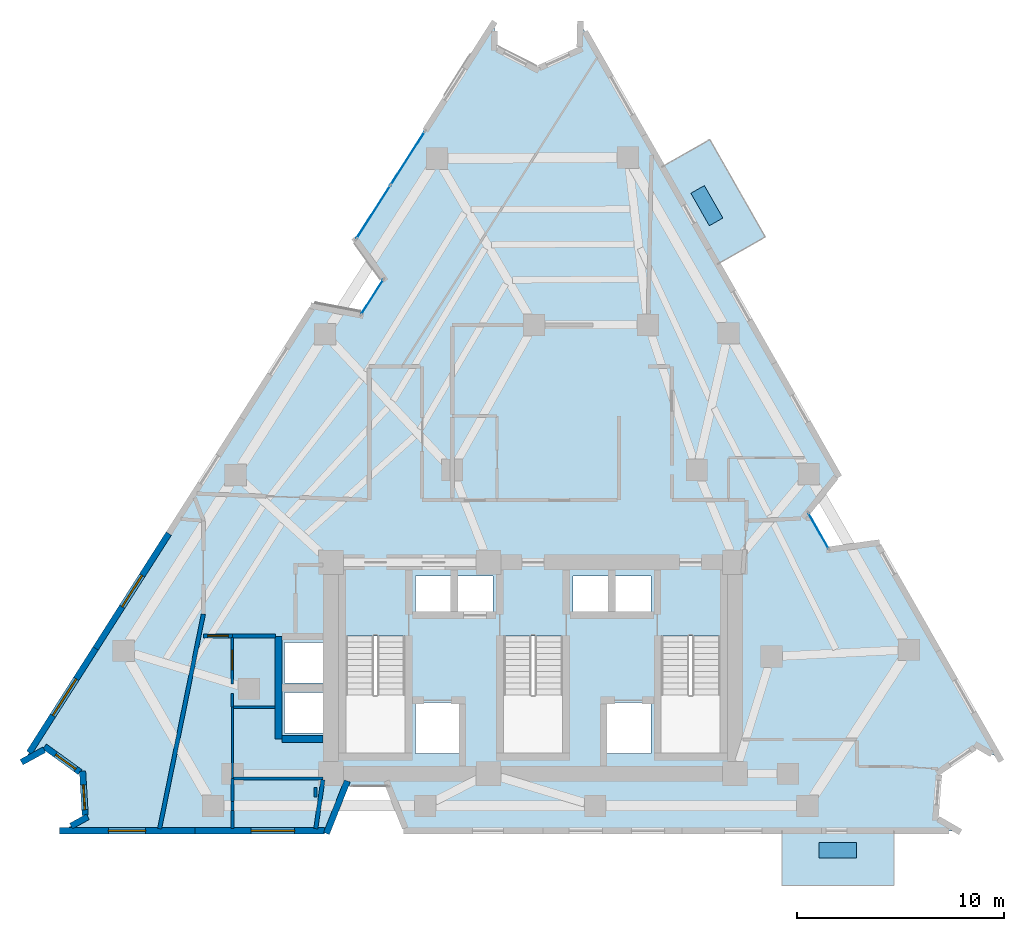
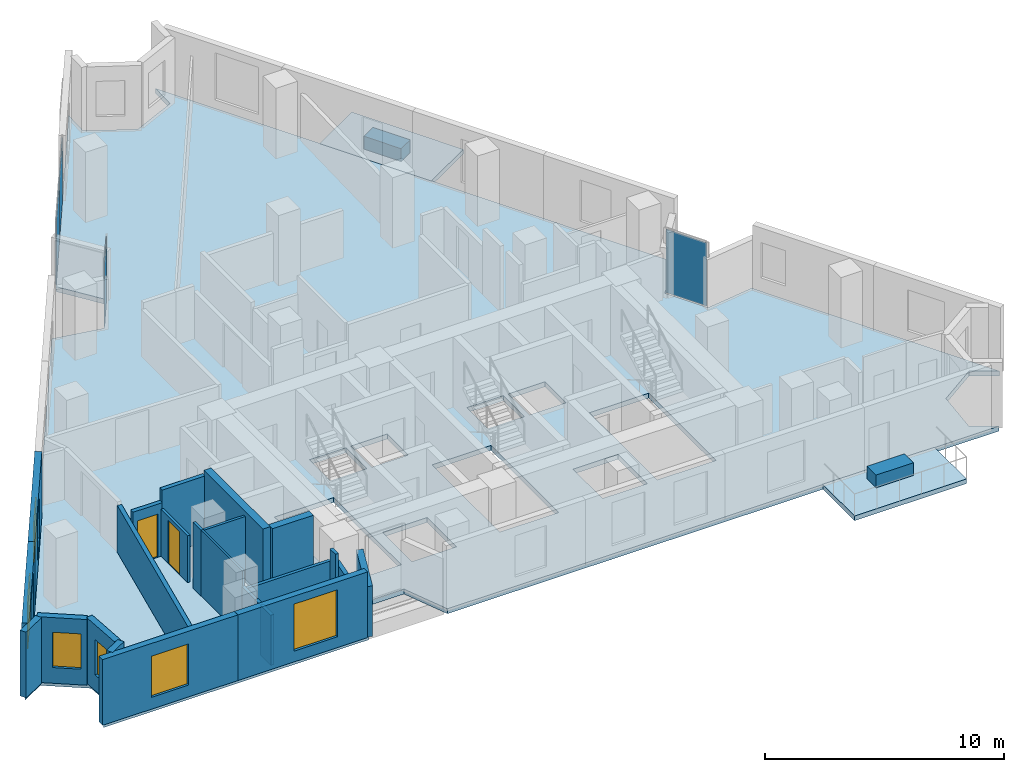
# One storey, part 6 of 12: 24 walls, 6 plates, 6 windows, 3 slabs, 2 doors, 8 openings, 3 elements without a shape of their own.
"""IFC4 building model written with IfcOpenShell, lengths in metres."""

import ifcopenshell
import ifcopenshell.guid

model = None  # the IFC model being written
_history = None  # IfcOwnerHistory: only IFC2X3 demands one
_inside = {}  # id of a spatial element -> (the spatial element, [elements in it])
_under = {}  # id of a project, library or spatial element -> (it, [spatial elements below it])
_declared = {}  # id of a project -> (the project, [libraries it declares])
_typed = {}  # id of a type object -> (the type object, [elements of that type])
_made_of = {}  # id of a material, layer set ... -> (it, [elements and type objects made of it])


def new_model(schema):
    """Start an empty IFC model of exactly this schema.

    Asked for "IFC4X3", IfcOpenShell would pick the latest addendum, in which some entities
    have other attributes; the version numbers below select the first issue.
    IFC2X3 requires an IfcOwnerHistory on every rooted entity: one is made here for all.
    """
    global model, _history
    if schema == "IFC4X3":
        model = ifcopenshell.file(schema_version=(4, 3, 0, 0))
    else:
        model = ifcopenshell.file(schema=schema)
    _inside.clear()
    _under.clear()
    _declared.clear()
    _typed.clear()
    _made_of.clear()
    _history = None
    if model.schema == "IFC2X3":
        org = make("IfcOrganization", Name="unknown")
        user = make(
            "IfcPersonAndOrganization",
            ThePerson=make("IfcPerson", FamilyName="unknown"),
            TheOrganization=org,
        )
        app = make(
            "IfcApplication",
            ApplicationDeveloper=org,
            Version="unknown",
            ApplicationFullName="unknown",
            ApplicationIdentifier="unknown",
        )
        _history = make(
            "IfcOwnerHistory",
            OwningUser=user,
            OwningApplication=app,
            ChangeAction="ADDED",
            CreationDate=0,
        )
    return model


def make(cls, **values):
    """One entity of the class cls with the attributes given. An attribute that is None is left unset."""
    return model.create_entity(
        cls, **{name: value for name, value in values.items() if value is not None}
    )


def rooted(cls, **values):
    """An entity with a GlobalId (a new one), such as an element, a storey or a relation."""
    return make(cls, GlobalId=ifcopenshell.guid.new(), OwnerHistory=_history, **values)


def si_unit(unit_type, name, prefix=None):
    """IfcSIUnit, for example si_unit("LENGTHUNIT", "METRE", prefix="MILLI")."""
    return make("IfcSIUnit", UnitType=unit_type, Prefix=prefix, Name=name)


def assignment(units):
    """IfcUnitAssignment: the units of a project."""
    return None if units is None else make("IfcUnitAssignment", Units=units)


def point(xyz):
    """IfcCartesianPoint."""
    return None if xyz is None else make("IfcCartesianPoint", Coordinates=xyz)


def direction(xyz):
    """IfcDirection."""
    return None if xyz is None else make("IfcDirection", DirectionRatios=xyz)


def frame(location, z_axis=None, x_axis=None):
    """IfcAxis2Placement3D, a coordinate frame: its origin and axes. An axis left out is left unset."""
    return make(
        "IfcAxis2Placement3D",
        Location=point(location),
        Axis=direction(z_axis),
        RefDirection=direction(x_axis),
    )


def frame_2d(location, x_axis=None):
    """IfcAxis2Placement2D, a coordinate frame in the plane: its origin and x axis."""
    return make(
        "IfcAxis2Placement2D", Location=point(location), RefDirection=direction(x_axis)
    )


def origin():
    """The frame at (0, 0, 0) with its axes left unset."""
    return frame((0.0, 0.0, 0.0))


def origin_2d():
    """The frame at (0, 0) in the plane with its x axis left unset."""
    return frame_2d((0.0, 0.0))


def place(relative_to, where):
    """IfcLocalPlacement: puts the frame where relative to a parent placement (None: the world)."""
    return make(
        "IfcLocalPlacement", PlacementRelTo=relative_to, RelativePlacement=where
    )


def context(
    kind, dimensions, precision=None, world=None, true_north=None, identifier=None
):
    """IfcGeometricRepresentationContext, for example the 3D "Model" context."""
    return make(
        "IfcGeometricRepresentationContext",
        ContextIdentifier=identifier,
        ContextType=kind,
        CoordinateSpaceDimension=dimensions,
        Precision=precision,
        WorldCoordinateSystem=world,
        TrueNorth=true_north,
    )


def subcontext(parent, identifier, kind, view, scale=None):
    """IfcGeometricRepresentationSubContext, for example "Body" below "Model"."""
    return make(
        "IfcGeometricRepresentationSubContext",
        ContextIdentifier=identifier,
        ContextType=kind,
        ParentContext=parent,
        TargetScale=scale,
        TargetView=view,
    )


def project(units=None, contexts=None):
    """IfcProject with its units and contexts."""
    return rooted(
        "IfcProject",
        Name="project",
        RepresentationContexts=contexts,
        UnitsInContext=assignment(units),
    )


def spatial(cls, under=None, at=None, **own):
    """A site, building, storey or space (cls), placed at a placement, below another one or the project."""
    s = rooted(cls, ObjectPlacement=at, **own)
    if under is not None:
        _under.setdefault(under.id(), (under, []))[1].append(s)
    return s


def polyline(points):
    """IfcPolyline through the points."""
    return make("IfcPolyline", Points=[point(p) for p in points])


def profile(cls, at=None, kind="AREA", **sizes):
    """A parametric profile (cls). Its sizes go by their IFC names, for example OverallWidth=200.0."""
    return make(cls, ProfileType=kind, Position=at, **sizes)


def rectangle(**sizes):
    """IfcRectangleProfileDef."""
    return profile("IfcRectangleProfileDef", **sizes)


def outline(outer, holes=None, kind="AREA"):
    """IfcArbitraryClosedProfileDef: a profile drawn as a closed curve; with holes, ...WithVoids."""
    if holes is None:
        return make("IfcArbitraryClosedProfileDef", ProfileType=kind, OuterCurve=outer)
    return make(
        "IfcArbitraryProfileDefWithVoids",
        ProfileType=kind,
        OuterCurve=outer,
        InnerCurves=holes,
    )


def extrude(swept, where, along, depth):
    """IfcExtrudedAreaSolid: the profile swept, set in the frame where, extruded along a direction by depth."""
    return make(
        "IfcExtrudedAreaSolid",
        SweptArea=swept,
        Position=where,
        ExtrudedDirection=direction(along),
        Depth=depth,
    )


def shape(context_of_items, identifier, shape_type, items):
    """IfcShapeRepresentation: the items that make up one representation, for example the "Body"."""
    return make(
        "IfcShapeRepresentation",
        ContextOfItems=context_of_items,
        RepresentationIdentifier=identifier,
        RepresentationType=shape_type,
        Items=items,
    )


def material(Name=None, Category=None):
    """IfcMaterial."""
    return make("IfcMaterial", Name=Name, Category=Category)


def layer(
    of_material, thickness, ventilated=None, Name=None, Category=None, Priority=None
):
    """IfcMaterialLayer: one layer of a wall or slab, of a material (None: an air gap)."""
    return make(
        "IfcMaterialLayer",
        Material=of_material,
        LayerThickness=thickness,
        IsVentilated=ventilated,
        Name=Name,
        Category=Category,
        Priority=Priority,
    )


def layer_set(layers, Name=None):
    """IfcMaterialLayerSet."""
    return make("IfcMaterialLayerSet", MaterialLayers=layers, LayerSetName=Name)


def made_of(thing, what):
    """Note that an element or type object is made of a material, layer set ...; save() writes the relation."""
    if what is not None:
        _made_of.setdefault(what.id(), (what, []))[1].append(thing)
    return thing


def type_object(cls, material=None, **own):
    """A type object (cls), such as IfcWallType, which elements share."""
    return made_of(rooted(cls, **own), material)


def element(
    cls,
    number,
    at=None,
    inside=None,
    cuts=None,
    type_object=None,
    material=None,
    context=None,
    identifier="Body",
    shape_type=None,
    held_by="IfcProductDefinitionShape",
    body=None,
    shapes=None,
    **own,
):
    """One element of the class cls, such as IfcWall. Its Tag is "e" and its number.

    at: its placement. inside: the storey or other place that contains it. cuts: it is an
    opening in that element (IfcRelVoidsElement). A single representation is given by context,
    identifier, shape_type and body (its items); several are given by shapes. held_by: the class
    of the entity that holds the representations. save() writes the other relations.
    """
    e = rooted(cls, Tag="e%d" % number, ObjectPlacement=at, **own)
    if body is not None:
        shapes = [shape(context, identifier, shape_type, body)]
    if shapes is not None:
        e.Representation = make(held_by, Representations=shapes)
    if inside is not None:
        _inside.setdefault(inside.id(), (inside, []))[1].append(e)
    if cuts is not None:
        rooted(
            "IfcRelVoidsElement", RelatingBuildingElement=cuts, RelatedOpeningElement=e
        )
    if type_object is not None:
        _typed.setdefault(type_object.id(), (type_object, []))[1].append(e)
    return made_of(e, material)


def fill(opening, filler):
    """IfcRelFillsElement: the door or window that sits in an opening."""
    return rooted(
        "IfcRelFillsElement",
        RelatingOpeningElement=opening,
        RelatedBuildingElement=filler,
    )


def aggregate(whole, parts):
    """IfcRelAggregates: a whole, such as a stair, and the parts it consists of."""
    return rooted("IfcRelAggregates", RelatingObject=whole, RelatedObjects=parts)


def save(model, path):
    """Write the relations noted so far, then the file.

    IfcRelAggregates (storeys below a building ...), IfcRelContainedInSpatialStructure (elements
    in a storey), IfcRelDefinesByType, IfcRelAssociatesMaterial and IfcRelDeclares: one each for
    every whole, place, type object, material and project.
    """
    for whole, parts in _under.values():
        aggregate(whole, parts)
    for where, things in _inside.values():
        rooted(
            "IfcRelContainedInSpatialStructure",
            RelatedElements=things,
            RelatingStructure=where,
        )
    for kind, things in _typed.values():
        rooted("IfcRelDefinesByType", RelatedObjects=things, RelatingType=kind)
    for what, things in _made_of.values():
        rooted("IfcRelAssociatesMaterial", RelatedObjects=things, RelatingMaterial=what)
    for by, libraries in _declared.values():
        rooted("IfcRelDeclares", RelatingContext=by, RelatedDefinitions=libraries)
    model.write(path)


model = new_model("IFC4")

# Units and contexts
model_context = context("Model", 3, precision=1e-05, world=origin(), true_north=direction((0.0, 1.0)))
body_context = subcontext(model_context, "Body", "Model", "MODEL_VIEW")
ifc_project = project(units=[si_unit("LENGTHUNIT", "METRE"), si_unit("AREAUNIT", "SQUARE_METRE"), si_unit("VOLUMEUNIT", "CUBIC_METRE"), si_unit("PLANEANGLEUNIT", "RADIAN"), si_unit("MASSUNIT", "GRAM", prefix="KILO")], contexts=[model_context])

# Site, building, storey
site_placement = place(None, origin())
site = spatial("IfcSite", under=ifc_project, at=site_placement, CompositionType="ELEMENT")
building_placement = place(site_placement, origin())
building = spatial("IfcBuilding", under=site, at=building_placement, Name="Almagre Mirador Tower", CompositionType="ELEMENT")
storey_placement = place(building_placement, frame((0.0, 0.0, 139.199951171875)))
storey = spatial("IfcBuildingStorey", under=building, at=storey_placement, Name="L35", CompositionType="ELEMENT", Elevation=139.199951171875)

# Curtain wall, plate
ifc_material_1 = material(Name="Black anodized aluminium", Category="aluminium")
ifc_layer_1 = layer(ifc_material_1, 0.169921875)
ifc_layer_set_1 = layer_set([ifc_layer_1], Name="Black anodized aluminium")
curtain_wall_type_1 = type_object("IfcCurtainWallType", Name="CW-CRS-SYS", PredefinedType="NOTDEFINED", material=ifc_layer_set_1)
curtain_wall_1_placement = place(storey_placement, origin())
curtain_wall_1 = element("IfcCurtainWall", 1, at=curtain_wall_1_placement, inside=storey, type_object=curtain_wall_type_1, Name="L35 vertical crease curtain wall 01", PredefinedType="NOTDEFINED")
ifc_material_2 = material(Name="Dark solar-control laminated hurricane glass", Category="glass")
ifc_layer_2 = layer(ifc_material_2, 0.028076171875)
ifc_layer_set_2 = layer_set([ifc_layer_2], Name="Dark solar-control laminated hurricane glass")
plate_type_1 = type_object("IfcPlateType", Name="PLT-GLZ-28", PredefinedType="CURTAIN_PANEL", material=ifc_layer_set_2)
plate_1_placement = place(storey_placement, frame((29.5458984375, 27.549560546875, 0.06005859375), z_axis=(0.0, 0.0, 1.0), x_axis=(0.536906455298, 0.84364178314, 0.0)))
plate_1 = element("IfcPlate", 2, at=plate_1_placement, type_object=plate_type_1, Name="CW-4 panel 1.1", PredefinedType="CURTAIN_PANEL", context=body_context, shape_type="SweptSolid", body=[
    extrude(rectangle(XDim=1.9697265625, YDim=0.028076171875, at=origin_2d()), origin(), (0.0, 0.0, 1.0), 3.22998046875),
])
aggregate(curtain_wall_1, [plate_1])

curtain_wall_2_placement = place(storey_placement, origin())
curtain_wall_2 = element("IfcCurtainWall", 3, at=curtain_wall_2_placement, inside=storey, type_object=curtain_wall_type_1, Name="L35 vertical crease curtain wall 03", PredefinedType="NOTDEFINED")
plate_2_placement = place(storey_placement, frame((51.070068359375, 16.261962890625, 0.06005859375), z_axis=(0.0, 0.0, 1.0), x_axis=(0.495520699487, -0.868596129614, 0.0)))
plate_2 = element("IfcPlate", 4, at=plate_2_placement, type_object=plate_type_1, Name="CW-4 panel 1.1", PredefinedType="CURTAIN_PANEL", context=body_context, shape_type="SweptSolid", body=[
    extrude(rectangle(XDim=1.970703125, YDim=0.028076171875, at=origin_2d()), origin(), (0.0, 0.0, 1.0), 3.22998046875),
])
aggregate(curtain_wall_2, [plate_2])

# Curtain wall, plates
ifc_material_3 = material(Name="Black anodized aluminium", Category="aluminium")
ifc_layer_3 = layer(ifc_material_3, 0.199951171875)
ifc_layer_set_3 = layer_set([ifc_layer_3], Name="Black anodized aluminium")
curtain_wall_type_2 = type_object("IfcCurtainWallType", Name="CW-RES-H-SYS", PredefinedType="NOTDEFINED", material=ifc_layer_set_3)
curtain_wall_3_placement = place(storey_placement, origin())
curtain_wall_3 = element("IfcCurtainWall", 5, at=curtain_wall_3_placement, inside=storey, type_object=curtain_wall_type_2, Name="L35 curtain wall run 02", PredefinedType="NOTDEFINED")
ifc_material_4 = material(Name="Dark solar-control laminated hurricane glass", Category="glass")
ifc_layer_4 = layer(ifc_material_4, 0.035888671875)
ifc_layer_set_4 = layer_set([ifc_layer_4], Name="Dark solar-control laminated hurricane glass")
plate_type_2 = type_object("IfcPlateType", Name="PLT-GLZ-36", PredefinedType="CURTAIN_PANEL", material=ifc_layer_set_4)
plate_3_placement = place(storey_placement, frame((29.598876953125, 31.635498046875, 0.06494140625), z_axis=(0.0, 0.0, 1.0), x_axis=(0.53710896446, 0.843512869076, 0.0)))
plate_3 = element("IfcPlate", 6, at=plate_3_placement, type_object=plate_type_2, Name="CW-3 panel 1.1", PredefinedType="CURTAIN_PANEL", context=body_context, shape_type="SweptSolid", body=[
    extrude(rectangle(XDim=3.02001953125, YDim=0.035888671875, at=origin_2d()), origin(), (0.0, 0.0, 1.0), 3.219970703125),
])
plate_4_placement = place(storey_placement, frame((31.256103515625, 34.238037109375, 0.06494140625), z_axis=(0.0, 0.0, 1.0), x_axis=(0.53710896446, 0.843512869076, 0.0)))
plate_4 = element("IfcPlate", 7, at=plate_4_placement, type_object=plate_type_2, Name="CW-3 panel 2.1", PredefinedType="CURTAIN_PANEL", context=body_context, shape_type="SweptSolid", body=[
    extrude(rectangle(XDim=3.02001953125, YDim=0.035888671875, at=origin_2d()), origin(), (0.0, 0.0, 1.0), 3.219970703125),
])
aggregate(curtain_wall_3, [plate_3, plate_4])

# Plates
ifc_material_5 = material(Name="Precast concrete C50/60", Category="concrete")
ifc_layer_5 = layer(ifc_material_5, 0.64990234375)
ifc_layer_set_5 = layer_set([ifc_layer_5], Name="Precast concrete C50/60")
plate_type_3 = type_object("IfcPlateType", Name="PLT-PLANTER-1800", PredefinedType="USERDEFINED", material=ifc_layer_set_5)
for number, where, z_axis, x_axis, name in (
    (8, (52.0, 0.85009765625, 0.0), (0.0, 0.0, 1.0), (1.0, 0.0, 0.0), "L35 south balcony structural tree planter 1"),
    (9, (45.68505859375, 31.950927734375, 0.0), (0.0, 0.0, 1.0), (-0.495701216789, 0.86849312241, 0.0), "L35 east balcony structural tree planter 2"),
):
    element("IfcPlate", number, at=place(storey_placement, frame(where, z_axis=z_axis, x_axis=x_axis)), inside=storey, type_object=plate_type_3, Name=name, ObjectType="PLANTER", PredefinedType="USERDEFINED", context=body_context, shape_type="SweptSolid", body=[
        extrude(rectangle(XDim=1.800048828125, YDim=0.75, at=origin_2d()), origin(), (0.0, 0.0, 1.0), 0.64990234375),
    ])

# Slabs
ifc_material_6 = material(Name="Concrete C45/55", Category="concrete")
ifc_layer_6 = layer(ifc_material_6, 0.239990234375)
ifc_layer_set_6 = layer_set([ifc_layer_6], Name="Concrete C45/55")
slab_type_1 = type_object("IfcSlabType", Name="SLB-BAL-240", PredefinedType="USERDEFINED", material=ifc_layer_set_6)
slab_1_placement = place(storey_placement, frame((0.0, 0.0, -0.239990234375)))
element("IfcSlab", 10, at=slab_1_placement, inside=storey, type_object=slab_type_1, Name="L35 south planted tree balcony 1", ObjectType="BALCONY", PredefinedType="USERDEFINED", context=body_context, shape_type="SweptSolid", body=[
    extrude(outline(polyline([(49.300048828125, 1.820068359375), (54.699951171875, 1.820068359375), (54.699951171875, -0.85009765625), (49.300048828125, -0.85009765625), (49.300048828125, 1.820068359375)])), origin(), (0.0, 0.0, 1.0), 0.239990234375),
])
slab_2_placement = place(storey_placement, frame((0.0, 0.0, -0.239990234375)))
element("IfcSlab", 11, at=slab_2_placement, inside=storey, type_object=slab_type_1, Name="L35 east planted tree balcony 2", ObjectType="BALCONY", PredefinedType="USERDEFINED", context=body_context, shape_type="SweptSolid", body=[
    extrude(outline(polyline([(46.180908203125, 29.125), (43.5048828125, 33.81494140625), (45.822998046875, 35.138916015625), (48.5, 30.448974609375), (46.180908203125, 29.125)])), origin(), (0.0, 0.0, 1.0), 0.239990234375),
])
ifc_material_7 = material(Name="Concrete C45/55", Category="concrete")
ifc_layer_7 = layer(ifc_material_7, 0.25)
ifc_layer_set_7 = layer_set([ifc_layer_7], Name="Concrete C45/55")
slab_type_2 = type_object("IfcSlabType", Name="SLB-FLR-250", PredefinedType="FLOOR", material=ifc_layer_set_7)
slab_3_placement = place(storey_placement, frame((0.0, 0.0, -0.25)))
element("IfcSlab", 12, at=slab_3_placement, inside=storey, type_object=slab_type_2, Name="L35 structural floor slab", PredefinedType="FLOOR", context=body_context, shape_type="SweptSolid", body=[
    extrude(outline(polyline([(12.7490234375, 5.174072265625), (13.85302734375, 5.780029296875), (15.580078125, 4.532958984375), (15.705078125, 2.406005859375), (14.60009765625, 1.800048828125), (27.387939453125, 1.800048828125), (28.242919921875, 3.949951171875), (30.3330078125, 3.949951171875), (31.18798828125, 1.800048828125), (57.800048828125, 1.800048828125), (56.7099609375, 2.43310546875), (56.887939453125, 4.652099609375), (58.72802734375, 5.906982421875), (59.81689453125, 5.27392578125), (53.87890625, 15.677978515625), (51.587890625, 15.35400390625), (50.552001953125, 17.169921875), (51.99609375, 18.97802734375), (39.5830078125, 40.72607421875), (39.552001953125, 39.466064453125), (37.462890625, 38.52197265625), (35.4208984375, 39.56591796875), (35.450927734375, 40.825927734375), (28.7529296875, 30.306884765625), (30.10693359375, 28.430908203125), (28.985107421875, 26.66796875), (26.7119140625, 27.10205078125), (12.7490234375, 5.174072265625)]), holes=[polyline([(43.47509765625, 5.550048828125), (43.47509765625, 11.196044921875), (46.324951171875, 11.196044921875), (46.324951171875, 5.550048828125), (43.47509765625, 5.550048828125)]), polyline([(40.820068359375, 5.52001953125), (40.820068359375, 7.97998046875), (42.97998046875, 7.97998046875), (42.97998046875, 5.52001953125), (40.820068359375, 5.52001953125)]), polyline([(41.219970703125, 12.320068359375), (41.219970703125, 14.080078125), (42.97998046875, 14.080078125), (42.97998046875, 12.320068359375), (41.219970703125, 12.320068359375)]), polyline([(39.219970703125, 12.320068359375), (39.219970703125, 14.080078125), (40.97998046875, 14.080078125), (40.97998046875, 12.320068359375), (39.219970703125, 12.320068359375)]), polyline([(35.875, 11.196044921875), (38.72509765625, 11.196044921875), (38.72509765625, 5.550048828125), (35.875, 5.550048828125), (35.875, 11.196044921875)]), polyline([(35.3798828125, 12.320068359375), (33.6201171875, 12.320068359375), (33.6201171875, 14.080078125), (35.3798828125, 14.080078125), (35.3798828125, 12.320068359375)]), polyline([(33.780029296875, 5.52001953125), (31.6201171875, 5.52001953125), (31.6201171875, 7.97998046875), (33.780029296875, 7.97998046875), (33.780029296875, 5.52001953125)]), polyline([(31.6201171875, 12.320068359375), (31.6201171875, 14.080078125), (33.3798828125, 14.080078125), (33.3798828125, 12.320068359375), (31.6201171875, 12.320068359375)]), polyline([(28.27490234375, 5.550048828125), (28.27490234375, 11.196044921875), (31.125, 11.196044921875), (31.125, 5.550048828125), (28.27490234375, 5.550048828125)]), polyline([(25.320068359375, 8.919921875), (25.320068359375, 10.8798828125), (27.3798828125, 10.8798828125), (27.3798828125, 8.919921875), (25.320068359375, 8.919921875)]), polyline([(27.3798828125, 6.52001953125), (25.320068359375, 6.52001953125), (25.320068359375, 8.47998046875), (27.3798828125, 8.47998046875), (27.3798828125, 6.52001953125)])]), origin(), (0.0, 0.0, 1.0), 0.25),
])

# Wall
ifc_material_8 = material(Name="Precast concrete C50/60", Category="concrete")
ifc_layer_8 = layer(ifc_material_8, 0.300048828125)
ifc_layer_set_8 = layer_set([ifc_layer_8], Name="Precast concrete C50/60")
wall_type_1 = type_object("IfcWallType", Name="WAL-EXT-300", PredefinedType="SOLIDWALL", material=ifc_layer_set_8)
wall_1_placement = place(storey_placement, frame((28.342041015625, 4.198974609375, 0.0), z_axis=(0.0, 0.0, 1.0), x_axis=(-0.36956502288, -0.929204871847, 0.0)))
element("IfcWall", 13, at=wall_1_placement, inside=storey, type_object=wall_type_1, Name="L35 expressed almagre precast frame wall 25", PredefinedType="SOLIDWALL", context=body_context, shape_type="SweptSolid", body=[
    extrude(rectangle(XDim=2.7216796875, YDim=0.300048828125, at=frame_2d((1.36083984375, 0.0))), origin(), (0.0, 0.0, 1.0), 2.574951171875),
])

# Wall, opening, window
wall_2_placement = place(storey_placement, frame((27.248046875, 1.800048828125, 0.0), z_axis=(0.0, 0.0, 1.0), x_axis=(-1.0, 0.0, 0.0)))
wall_2 = element("IfcWall", 14, at=wall_2_placement, inside=storey, type_object=wall_type_1, Name="L35 expressed almagre precast frame wall 26", PredefinedType="SOLIDWALL", context=body_context, shape_type="SweptSolid", body=[
    extrude(rectangle(XDim=6.254150390625, YDim=0.300048828125, at=frame_2d((3.126953125, 0.0))), origin(), (0.0, 0.0, 1.0), 3.35009765625),
])
opening_1_placement = place(wall_2_placement, frame((1.445068359375, 0.0, 0.550048828125)))
opening_1 = element("IfcOpeningElement", 15, at=opening_1_placement, cuts=wall_2, Name="Opening WN-05", PredefinedType="OPENING", context=body_context, shape_type="SweptSolid", body=[
    extrude(rectangle(XDim=2.10009765625, YDim=2.39990234375, at=frame_2d((1.050048828125, 1.199951171875))), frame((0.0, 0.159902, 0.0), z_axis=(0.0, -1.0, 0.0), x_axis=(1.0, 0.0, 0.0)), (0.0, 0.0, 1.0), 0.320049),
])
ifc_material_9 = material(Name="Dark solar-control laminated hurricane glass", Category="glass")
window_type_1 = type_object("IfcWindowType", Name="WIN-2100X2400", PartitioningType="DOUBLE_PANEL_VERTICAL", PredefinedType="WINDOW", material=ifc_material_9)
window_1_placement = place(opening_1_placement, origin())
window_1 = element("IfcWindow", 16, at=window_1_placement, inside=storey, type_object=window_type_1, Name="L35 recessed hurricane window L35-UB-HB", OverallHeight=2.39990234375, OverallWidth=2.10009765625, PartitioningType="SINGLE_PANEL", PredefinedType="WINDOW", context=body_context, shape_type="SweptSolid", body=[
    extrude(rectangle(XDim=2.10009765625, YDim=2.39990234375, at=frame_2d((1.050048828125, 1.199951171875))), frame((0.0, 0.030029296875, 0.0), z_axis=(0.0, -1.0, 0.0), x_axis=(1.0, 0.0, 0.0)), (0.0, 0.0, 1.0), 0.06005859375),
])
fill(opening_1, window_1)

wall_3_placement = place(storey_placement, frame((20.993896484375, 1.800048828125, 0.0), z_axis=(0.0, 0.0, 1.0), x_axis=(-1.0, 0.0, 0.0)))
wall_3 = element("IfcWall", 17, at=wall_3_placement, inside=storey, type_object=wall_type_1, Name="L35 expressed almagre precast frame wall 27", PredefinedType="SOLIDWALL", context=body_context, shape_type="SweptSolid", body=[
    extrude(rectangle(XDim=6.533935546875, YDim=0.300048828125, at=frame_2d((3.26708984375, 0.0))), origin(), (0.0, 0.0, 1.0), 3.35009765625),
])
opening_2_placement = place(wall_3_placement, frame((2.375, 0.0, 0.60009765625)))
opening_2 = element("IfcOpeningElement", 18, at=opening_2_placement, cuts=wall_3, Name="Opening WN-01", PredefinedType="OPENING", context=body_context, shape_type="SweptSolid", body=[
    extrude(rectangle(XDim=1.800048828125, YDim=2.10009765625, at=frame_2d((0.89990234375, 1.050048828125))), frame((0.0, 0.159902, 0.0), z_axis=(0.0, -1.0, 0.0), x_axis=(1.0, 0.0, 0.0)), (0.0, 0.0, 1.0), 0.320049),
])
ifc_material_10 = material(Name="Dark solar-control laminated hurricane glass", Category="glass")
window_type_2 = type_object("IfcWindowType", Name="WIN-1800X2100", PartitioningType="DOUBLE_PANEL_VERTICAL", PredefinedType="WINDOW", material=ifc_material_10)
window_2_placement = place(opening_2_placement, origin())
window_2 = element("IfcWindow", 19, at=window_2_placement, inside=storey, type_object=window_type_2, Name="L35 recessed hurricane window L35-RST-A", OverallHeight=2.10009765625, OverallWidth=1.800048828125, PartitioningType="SINGLE_PANEL", PredefinedType="WINDOW", context=body_context, shape_type="SweptSolid", body=[
    extrude(rectangle(XDim=1.800048828125, YDim=2.10009765625, at=frame_2d((0.89990234375, 1.050048828125))), frame((0.0, 0.030029296875, 0.0), z_axis=(0.0, -1.0, 0.0), x_axis=(1.0, 0.0, 0.0)), (0.0, 0.0, 1.0), 0.06005859375),
])
fill(opening_2, window_2)

# Wall
wall_4_placement = place(storey_placement, frame((15.016357421875, 2.0283203125, 0.0), z_axis=(0.0, 0.0, 1.0), x_axis=(0.876794471231, 0.48086531921, 0.0)))
element("IfcWall", 20, at=wall_4_placement, inside=storey, type_object=wall_type_1, Name="L35 expressed almagre precast frame wall 28", PredefinedType="SOLIDWALL", context=body_context, shape_type="SweptSolid", body=[
    extrude(rectangle(XDim=0.925537109375, YDim=0.300048828125, at=frame_2d((0.462890625, 0.0))), origin(), (0.0, 0.0, 1.0), 3.35009765625),
])

# Wall, opening, window
wall_5_placement = place(storey_placement, frame((15.696533203125, 2.55078125, 0.0), z_axis=(0.0, 0.0, 1.0), x_axis=(-0.058688358982, 0.99827635278, 0.0)))
wall_5 = element("IfcWall", 21, at=wall_5_placement, inside=storey, type_object=wall_type_1, Name="L35 expressed almagre precast frame wall 29", PredefinedType="SOLIDWALL", context=body_context, shape_type="SweptSolid", body=[
    extrude(rectangle(XDim=2.125732421875, YDim=0.300048828125, at=frame_2d((1.06298828125, 0.0))), origin(), (0.0, 0.0, 1.0), 3.35009765625),
])
opening_3_placement = place(wall_5_placement, frame((0.264892578125, 0.0, 0.800048828125)))
opening_3 = element("IfcOpeningElement", 22, at=opening_3_placement, cuts=wall_5, Name="Opening WN-04", PredefinedType="OPENING", context=body_context, shape_type="SweptSolid", body=[
    extrude(rectangle(XDim=1.199951171875, YDim=1.800048828125, at=frame_2d((0.60009765625, 0.89990234375))), frame((0.0, 0.159902, 0.0), z_axis=(0.0, -1.0, 0.0), x_axis=(1.0, 0.0, 0.0)), (0.0, 0.0, 1.0), 0.320049),
])
ifc_material_11 = material(Name="Dark solar-control laminated hurricane glass", Category="glass")
window_type_3 = type_object("IfcWindowType", Name="WIN-1200X1800", PartitioningType="SINGLE_PANEL", PredefinedType="WINDOW", material=ifc_material_11)
window_3_placement = place(opening_3_placement, origin())
window_3 = element("IfcWindow", 23, at=window_3_placement, inside=storey, type_object=window_type_3, Name="L35 recessed hurricane window L35-RST-A", OverallHeight=1.800048828125, OverallWidth=1.199951171875, PartitioningType="SINGLE_PANEL", PredefinedType="WINDOW", context=body_context, shape_type="SweptSolid", body=[
    extrude(rectangle(XDim=1.199951171875, YDim=1.800048828125, at=frame_2d((0.60009765625, 0.89990234375))), frame((0.0, 0.030029296875, 0.0), z_axis=(0.0, -1.0, 0.0), x_axis=(1.0, 0.0, 0.0)), (0.0, 0.0, 1.0), 0.06005859375),
])
fill(opening_3, window_3)

wall_6_placement = place(storey_placement, frame((15.4501953125, 4.626708984375, 0.0), z_axis=(0.0, 0.0, 1.0), x_axis=(-0.810712787228, 0.585444084969, 0.0)))
wall_6 = element("IfcWall", 24, at=wall_6_placement, inside=storey, type_object=wall_type_1, Name="L35 expressed almagre precast frame wall 30", PredefinedType="SOLIDWALL", context=body_context, shape_type="SweptSolid", body=[
    extrude(rectangle(XDim=2.110107421875, YDim=0.300048828125, at=frame_2d((1.05517578125, 0.0))), origin(), (0.0, 0.0, 1.0), 3.35009765625),
])
opening_4_placement = place(wall_6_placement, frame((0.25, 0.0, 0.800048828125)))
opening_4 = element("IfcOpeningElement", 25, at=opening_4_placement, cuts=wall_6, Name="Opening WN-04", PredefinedType="OPENING", context=body_context, shape_type="SweptSolid", body=[
    extrude(rectangle(XDim=1.199951171875, YDim=1.800048828125, at=frame_2d((0.60009765625, 0.89990234375))), frame((0.0, 0.159902, 0.0), z_axis=(0.0, -1.0, 0.0), x_axis=(1.0, 0.0, 0.0)), (0.0, 0.0, 1.0), 0.320049),
])
window_4_placement = place(opening_4_placement, origin())
window_4 = element("IfcWindow", 26, at=window_4_placement, inside=storey, type_object=window_type_3, Name="L35 recessed hurricane window L35-RST-A", OverallHeight=1.800048828125, OverallWidth=1.199951171875, PartitioningType="SINGLE_PANEL", PredefinedType="WINDOW", context=body_context, shape_type="SweptSolid", body=[
    extrude(rectangle(XDim=1.199951171875, YDim=1.800048828125, at=frame_2d((0.60009765625, 0.89990234375))), frame((0.0, 0.030029296875, 0.0), z_axis=(0.0, -1.0, 0.0), x_axis=(1.0, 0.0, 0.0)), (0.0, 0.0, 1.0), 0.06005859375),
])
fill(opening_4, window_4)

# Wall
wall_7_placement = place(storey_placement, frame((13.725830078125, 5.710205078125, 0.0), z_axis=(0.0, 0.0, 1.0), x_axis=(-0.876642942611, -0.481141508467, 0.0)))
element("IfcWall", 27, at=wall_7_placement, inside=storey, type_object=wall_type_1, Name="L35 expressed almagre precast frame wall 31", PredefinedType="SOLIDWALL", context=body_context, shape_type="SweptSolid", body=[
    extrude(rectangle(XDim=1.25439453125, YDim=0.300048828125, at=frame_2d((0.627197265625, 0.0))), origin(), (0.0, 0.0, 1.0), 3.35009765625),
])

# Wall, opening, window
wall_8_placement = place(storey_placement, frame((12.998779296875, 5.566162109375, 0.0), z_axis=(0.0, 0.0, 1.0), x_axis=(0.537111210025, 0.843511439202, 0.0)))
wall_8 = element("IfcWall", 28, at=wall_8_placement, inside=storey, type_object=wall_type_1, Name="L35 expressed almagre precast frame wall 32", PredefinedType="SOLIDWALL", context=body_context, shape_type="SweptSolid", body=[
    extrude(rectangle(XDim=5.964111328125, YDim=0.300048828125, at=frame_2d((2.98193359375, 0.0))), origin(), (0.0, 0.0, 1.0), 3.35009765625),
])
opening_5_placement = place(wall_8_placement, frame((2.1201171875, 0.0, 0.550048828125)))
opening_5 = element("IfcOpeningElement", 29, at=opening_5_placement, cuts=wall_8, Name="Opening WN-05", PredefinedType="OPENING", context=body_context, shape_type="SweptSolid", body=[
    extrude(rectangle(XDim=2.10009765625, YDim=2.39990234375, at=frame_2d((1.050048828125, 1.199951171875))), frame((0.0, 0.159902, 0.0), z_axis=(0.0, -1.0, 0.0), x_axis=(1.0, 0.0, 0.0)), (0.0, 0.0, 1.0), 0.320049),
])
window_5_placement = place(opening_5_placement, origin())
window_5 = element("IfcWindow", 30, at=window_5_placement, inside=storey, type_object=window_type_1, Name="L35 recessed hurricane window L35-RST-A", OverallHeight=2.39990234375, OverallWidth=2.10009765625, PartitioningType="SINGLE_PANEL", PredefinedType="WINDOW", context=body_context, shape_type="SweptSolid", body=[
    extrude(rectangle(XDim=2.10009765625, YDim=2.39990234375, at=frame_2d((1.050048828125, 1.199951171875))), frame((0.0, 0.030029296875, 0.0), z_axis=(0.0, -1.0, 0.0), x_axis=(1.0, 0.0, 0.0)), (0.0, 0.0, 1.0), 0.06005859375),
])
fill(opening_5, window_5)

wall_9_placement = place(storey_placement, frame((16.2021484375, 10.596923828125, 0.0), z_axis=(0.0, 0.0, 1.0), x_axis=(0.537115953095, 0.843508419004, 0.0)))
wall_9 = element("IfcWall", 31, at=wall_9_placement, inside=storey, type_object=wall_type_1, Name="L35 expressed almagre precast frame wall 33", PredefinedType="SOLIDWALL", context=body_context, shape_type="SweptSolid", body=[
    extrude(rectangle(XDim=6.569091796875, YDim=0.300048828125, at=frame_2d((3.28466796875, 0.0))), origin(), (0.0, 0.0, 1.0), 3.35009765625),
])
opening_6_placement = place(wall_9_placement, frame((2.375, 0.0, 0.60009765625)))
opening_6 = element("IfcOpeningElement", 32, at=opening_6_placement, cuts=wall_9, Name="Opening WN-01", PredefinedType="OPENING", context=body_context, shape_type="SweptSolid", body=[
    extrude(rectangle(XDim=1.800048828125, YDim=2.10009765625, at=frame_2d((0.89990234375, 1.050048828125))), frame((0.0, 0.159902, 0.0), z_axis=(0.0, -1.0, 0.0), x_axis=(1.0, 0.0, 0.0)), (0.0, 0.0, 1.0), 0.320049),
])
window_6_placement = place(opening_6_placement, origin())
window_6 = element("IfcWindow", 33, at=window_6_placement, inside=storey, type_object=window_type_2, Name="L35 recessed hurricane window L35-RST-A", OverallHeight=2.10009765625, OverallWidth=1.800048828125, PartitioningType="SINGLE_PANEL", PredefinedType="WINDOW", context=body_context, shape_type="SweptSolid", body=[
    extrude(rectangle(XDim=1.800048828125, YDim=2.10009765625, at=frame_2d((0.89990234375, 1.050048828125))), frame((0.0, 0.030029296875, 0.0), z_axis=(0.0, -1.0, 0.0), x_axis=(1.0, 0.0, 0.0)), (0.0, 0.0, 1.0), 0.06005859375),
])
fill(opening_6, window_6)

# Walls
ifc_material_12 = material(Name="Gypsum acoustic stud partition", Category="other")
ifc_layer_9 = layer(ifc_material_12, 0.10009765625)
ifc_layer_set_9 = layer_set([ifc_layer_9], Name="Gypsum acoustic stud partition")
wall_type_2 = type_object("IfcWallType", Name="WAL-PRT-100-CLS", PredefinedType="PARTITIONING", material=ifc_layer_set_9)
wall_10_placement = place(storey_placement, frame((22.800048828125, 4.320068359375, 0.0), z_axis=(0.0, 0.0, 1.0), x_axis=(0.0, 1.0, 0.0)))
element("IfcWall", 34, at=wall_10_placement, inside=storey, type_object=wall_type_2, Name="L35 interior partition 029", PredefinedType="PARTITIONING", context=body_context, shape_type="SweptSolid", body=[
    extrude(rectangle(XDim=3.43994140625, YDim=0.10009765625, at=frame_2d((1.719970703125, 0.0))), origin(), (0.0, 0.0, 1.0), 3.35009765625),
])
ifc_material_13 = material(Name="Gypsum acoustic stud partition", Category="other")
ifc_layer_10 = layer(ifc_material_13, 0.125)
ifc_layer_set_10 = layer_set([ifc_layer_10], Name="Gypsum acoustic stud partition")
wall_type_3 = type_object("IfcWallType", Name="WAL-PRT-125-UTL", PredefinedType="PARTITIONING", material=ifc_layer_set_10)
wall_11_placement = place(storey_placement, frame((22.800048828125, 7.760009765625, 0.0), z_axis=(0.0, 0.0, 1.0), x_axis=(0.0, 1.0, 0.0)))
element("IfcWall", 35, at=wall_11_placement, inside=storey, type_object=wall_type_3, Name="L35 interior partition 027", PredefinedType="PARTITIONING", context=body_context, shape_type="SweptSolid", body=[
    extrude(rectangle(XDim=0.669921875, YDim=0.125, at=frame_2d((0.3349609375, 0.0))), origin(), (0.0, 0.0, 1.0), 3.35009765625),
])

# Wall, opening, door
wall_12_placement = place(storey_placement, frame((22.800048828125, 8.8701171875, 0.0), z_axis=(0.0, 0.0, 1.0), x_axis=(0.0, 1.0, 0.0)))
wall_12 = element("IfcWall", 36, at=wall_12_placement, inside=storey, type_object=wall_type_3, Name="L35 interior partition 028", PredefinedType="PARTITIONING", context=body_context, shape_type="SweptSolid", body=[
    extrude(rectangle(XDim=2.244873046875, YDim=0.125, at=frame_2d((1.12255859375, 0.0))), origin(), (0.0, 0.0, 1.0), 2.39306640625),
])
opening_7_placement = place(wall_12_placement, frame((0.68994140625, 0.0, 0.0)))
opening_7 = element("IfcOpeningElement", 37, at=opening_7_placement, cuts=wall_12, Name="Opening UD-01", PredefinedType="OPENING", context=body_context, shape_type="SweptSolid", body=[
    extrude(rectangle(XDim=0.949951171875, YDim=2.199951171875, at=frame_2d((0.47509765625, 1.10009765625))), frame((0.0, 0.0725, 0.0), z_axis=(0.0, -1.0, 0.0), x_axis=(1.0, 0.0, 0.0)), (0.0, 0.0, 1.0), 0.145),
])
ifc_material_14 = material(Name="Solid American walnut timber", Category="wood")
door_type_1 = type_object("IfcDoorType", Name="DOR-UNR-950X2200", OperationType="NOTDEFINED", PredefinedType="DOOR", material=ifc_material_14)
door_1_placement = place(opening_7_placement, origin())
door_1 = element("IfcDoor", 38, at=door_1_placement, inside=storey, type_object=door_type_1, Name="DR-1152 L35 interior door L35-UB-LV to L35-UB-KT", OperationType="SINGLE_SWING_LEFT", OverallHeight=2.199951171875, OverallWidth=0.949951171875, PredefinedType="DOOR", context=body_context, shape_type="SweptSolid", body=[
    extrude(rectangle(XDim=0.949951171875, YDim=2.199951171875, at=frame_2d((0.47509765625, 1.10009765625))), frame((0.0, 0.02490234375, 0.0), z_axis=(0.0, -1.0, 0.0), x_axis=(1.0, 0.0, 0.0)), (0.0, 0.0, 1.0), 0.050048828125),
])
fill(opening_7, door_1)

# Walls
wall_13_placement = place(storey_placement, frame((22.847412109375, 7.760009765625, 0.0), z_axis=(0.0, 0.0, 1.0), x_axis=(1.0, 0.0, 0.0)))
element("IfcWall", 39, at=wall_13_placement, inside=storey, type_object=wall_type_3, Name="L35 interior partition 032", PredefinedType="PARTITIONING", context=body_context, shape_type="SweptSolid", body=[
    extrude(rectangle(XDim=2.017578125, YDim=0.125, at=frame_2d((1.0087890625, 0.0))), origin(), (0.0, 0.0, 1.0), 3.35009765625),
])
ifc_material_15 = material(Name="Gypsum acoustic stud partition", Category="other")
ifc_layer_11 = layer(ifc_material_15, 0.14990234375)
ifc_layer_set_11 = layer_set([ifc_layer_11], Name="Gypsum acoustic stud partition")
wall_type_4 = type_object("IfcWallType", Name="WAL-PRT-150-STD", PredefinedType="PARTITIONING", material=ifc_layer_set_11)
wall_14_placement = place(storey_placement, frame((22.800048828125, 1.89990234375, 0.0), z_axis=(0.0, 0.0, 1.0), x_axis=(0.0, 1.0, 0.0)))
element("IfcWall", 40, at=wall_14_placement, inside=storey, type_object=wall_type_4, Name="L35 interior partition 025", PredefinedType="PARTITIONING", context=body_context, shape_type="SweptSolid", body=[
    extrude(rectangle(XDim=0.880126953125, YDim=0.14990234375, at=frame_2d((0.43994140625, 0.0))), origin(), (0.0, 0.0, 1.0), 2.570068359375),
])
wall_15_placement = place(storey_placement, frame((22.800048828125, 3.219970703125, 0.0), z_axis=(0.0, 0.0, 1.0), x_axis=(0.0, 1.0, 0.0)))
element("IfcWall", 41, at=wall_15_placement, inside=storey, type_object=wall_type_4, Name="L35 interior partition 026", PredefinedType="PARTITIONING", context=body_context, shape_type="SweptSolid", body=[
    extrude(rectangle(XDim=1.10009765625, YDim=0.14990234375, at=frame_2d((0.550048828125, 0.0))), origin(), (0.0, 0.0, 1.0), 2.570068359375),
])
wall_16_placement = place(storey_placement, frame((27.175048828125, 4.320068359375, 0.0), z_axis=(0.0, 0.0, 1.0), x_axis=(-1.0, 0.0, 0.0)))
element("IfcWall", 42, at=wall_16_placement, inside=storey, type_object=wall_type_4, Name="L35 interior partition 030", PredefinedType="PARTITIONING", context=body_context, shape_type="SweptSolid", body=[
    extrude(rectangle(XDim=4.31494140625, YDim=0.14990234375, at=frame_2d((2.157470703125, 0.0))), origin(), (0.0, 0.0, 1.0), 2.43603515625),
])
wall_17_placement = place(storey_placement, frame((22.800048828125, 3.219970703125, 0.0), z_axis=(0.0, 0.0, 1.0), x_axis=(0.0, -1.0, 0.0)))
element("IfcWall", 43, at=wall_17_placement, inside=storey, type_object=wall_type_4, Name="L35 interior partition 065", PredefinedType="PARTITIONING", context=body_context, shape_type="SweptSolid", body=[
    extrude(rectangle(XDim=0.43994140625, YDim=0.14990234375, at=frame_2d((0.219970703125, 0.0))), origin(), (0.0, 0.0, 1.0), 2.570068359375),
])
wall_18_placement = place(storey_placement, frame((26.800048828125, 3.430908203125, 0.0), z_axis=(0.0, 0.0, 1.0), x_axis=(0.0, 1.0, 0.0)))
element("IfcWall", 44, at=wall_18_placement, inside=storey, type_object=wall_type_4, Name="L35 interior partition 066", PredefinedType="PARTITIONING", context=body_context, shape_type="SweptSolid", body=[
    extrude(rectangle(XDim=0.464111328125, YDim=0.14990234375, at=frame_2d((0.23193359375, 0.0))), origin(), (0.0, 0.0, 1.0), 3.35009765625),
])

# Wall, opening, door
ifc_material_16 = material(Name="Gypsum acoustic stud partition", Category="other")
ifc_layer_12 = layer(ifc_material_16, 0.199951171875)
ifc_layer_set_12 = layer_set([ifc_layer_12], Name="Gypsum acoustic stud partition")
wall_type_5 = type_object("IfcWallType", Name="WAL-PRT-200-EI60", PredefinedType="PARTITIONING", material=ifc_layer_set_12)
wall_19_placement = place(storey_placement, frame((21.39990234375, 11.199951171875, 0.0), z_axis=(0.0, 0.0, 1.0), x_axis=(1.0, 0.0, 0.0)))
wall_19 = element("IfcWall", 45, at=wall_19_placement, inside=storey, type_object=wall_type_5, Name="L35 interior partition 003", PredefinedType="PARTITIONING", context=body_context, shape_type="SweptSolid", body=[
    extrude(rectangle(XDim=1.400146484375, YDim=0.199951171875, at=frame_2d((0.7001953125, 0.0))), origin(), (0.0, 0.0, 1.0), 2.712158203125),
])
opening_8_placement = place(wall_19_placement, frame((0.199951171875, 0.0, 0.0)))
opening_8 = element("IfcOpeningElement", 46, at=opening_8_placement, cuts=wall_19, Name="Opening ID-01", PredefinedType="OPENING", context=body_context, shape_type="SweptSolid", body=[
    extrude(rectangle(XDim=1.0, YDim=2.199951171875, at=frame_2d((0.5, 1.10009765625))), frame((0.0, 0.110098, 0.0), z_axis=(0.0, -1.0, 0.0), x_axis=(1.0, 0.0, 0.0)), (0.0, 0.0, 1.0), 0.219951),
])
ifc_material_17 = material(Name="Fire-rated walnut timber", Category="wood")
door_type_2 = type_object("IfcDoorType", Name="DOR-FD60-1000X2200", OperationType="NOTDEFINED", PredefinedType="DOOR", material=ifc_material_17)
door_2_placement = place(opening_8_placement, origin())
door_2 = element("IfcDoor", 47, at=door_2_placement, inside=storey, type_object=door_type_2, Name="DR-1151 L35 interior door L35-RCOR to L35-UB-LV", OperationType="SINGLE_SWING_RIGHT", OverallHeight=2.199951171875, OverallWidth=1.0, PredefinedType="DOOR", context=body_context, shape_type="SweptSolid", body=[
    extrude(rectangle(XDim=1.0, YDim=2.199951171875, at=frame_2d((0.5, 1.10009765625))), frame((0.0, 0.02490234375, 0.0), z_axis=(0.0, -1.0, 0.0), x_axis=(1.0, 0.0, 0.0)), (0.0, 0.0, 1.0), 0.050048828125),
])
fill(opening_8, door_2)

# Walls
wall_20_placement = place(storey_placement, frame((22.800048828125, 11.199951171875, 0.0), z_axis=(0.0, 0.0, 1.0), x_axis=(1.0, 0.0, 0.0)))
element("IfcWall", 48, at=wall_20_placement, inside=storey, type_object=wall_type_5, Name="L35 interior partition 004", PredefinedType="PARTITIONING", context=body_context, shape_type="SweptSolid", body=[
    extrude(rectangle(XDim=2.069091796875, YDim=0.199951171875, at=frame_2d((1.03466796875, 0.0))), origin(), (0.0, 0.0, 1.0), 3.35009765625),
])
wall_21_placement = place(storey_placement, frame((19.287109375, 1.89697265625, 0.0), z_axis=(0.0, 0.0, 1.0), x_axis=(0.19995367442, 0.979805352142, 0.0)))
element("IfcWall", 49, at=wall_21_placement, inside=storey, type_object=wall_type_5, Name="L35 interior partition 023", PredefinedType="PARTITIONING", context=body_context, shape_type="SweptSolid", body=[
    extrude(rectangle(XDim=10.56640625, YDim=0.199951171875, at=frame_2d((5.283203125, 0.0))), origin(), (0.0, 0.0, 1.0), 2.39306640625),
])
wall_22_placement = place(storey_placement, frame((26.820068359375, 1.89794921875, 0.0), z_axis=(0.0, 0.0, 1.0), x_axis=(0.144970066801, 0.989436041254, 0.0)))
element("IfcWall", 50, at=wall_22_placement, inside=storey, type_object=wall_type_5, Name="L35 interior partition 031", PredefinedType="PARTITIONING", context=body_context, shape_type="SweptSolid", body=[
    extrude(rectangle(XDim=2.387939453125, YDim=0.199951171875, at=frame_2d((1.19384765625, 0.0))), origin(), (0.0, 0.0, 1.0), 2.570068359375),
])
ifc_material_18 = material(Name="Concrete C60/75", Category="concrete")
ifc_layer_13 = layer(ifc_material_18, 0.35009765625)
ifc_layer_set_13 = layer_set([ifc_layer_13], Name="Concrete C60/75")
wall_type_6 = type_object("IfcWallType", Name="WAL-SHF-350", PredefinedType="SOLIDWALL", material=ifc_layer_set_13)
wall_23_placement = place(storey_placement, frame((25.02490234375, 6.22509765625, 0.0), z_axis=(0.0, 0.0, 1.0), x_axis=(0.0, 1.0, 0.0)))
element("IfcWall", 51, at=wall_23_placement, inside=storey, type_object=wall_type_6, Name="L35 shaft wall OL-W", PredefinedType="SOLIDWALL", context=body_context, shape_type="SweptSolid", body=[
    extrude(rectangle(XDim=4.949951171875, YDim=0.35009765625, at=frame_2d((2.47509765625, 0.0))), origin(), (0.0, 0.0, 1.0), 3.60009765625),
])
wall_24_placement = place(storey_placement, frame((25.199951171875, 6.22509765625, 0.0), z_axis=(0.0, 0.0, 1.0), x_axis=(1.0, 0.0, 0.0)))
element("IfcWall", 52, at=wall_24_placement, inside=storey, type_object=wall_type_6, Name="L35 shaft wall OL-S", PredefinedType="SOLIDWALL", context=body_context, shape_type="SweptSolid", body=[
    extrude(rectangle(XDim=1.97509765625, YDim=0.35009765625, at=frame_2d((0.987548828125, 0.0))), origin(), (0.0, 0.0, 1.0), 3.60009765625),
])

save(model, "model.ifc")
